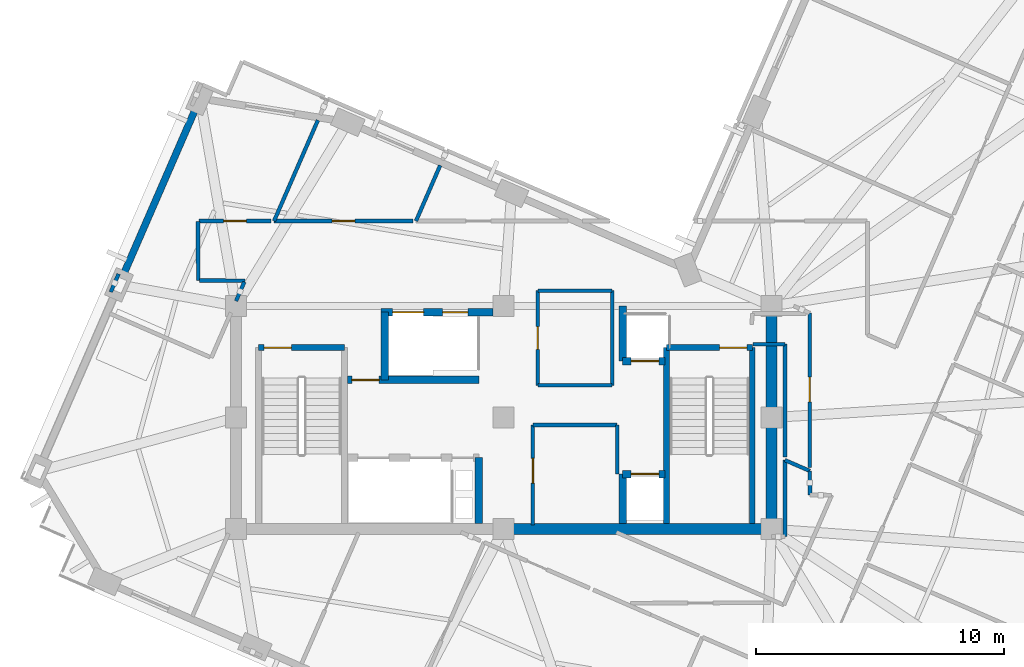
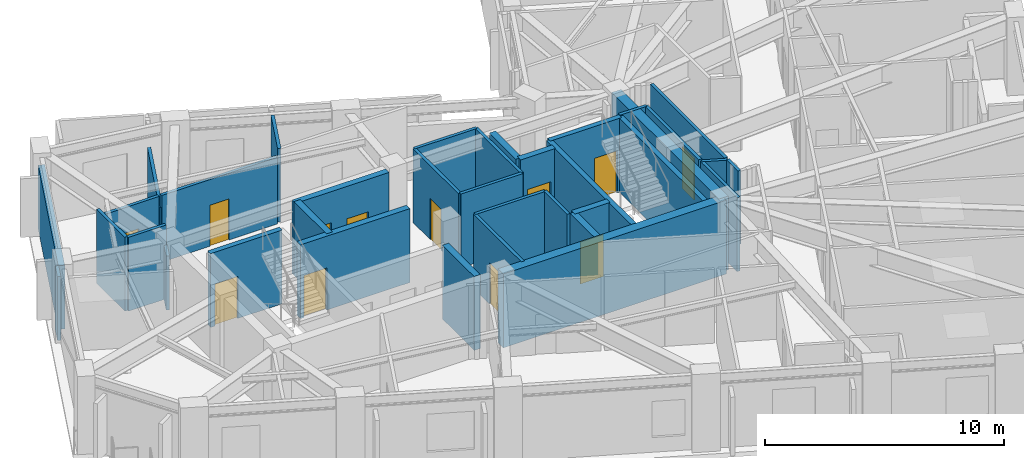
# One storey, part 5 of 11: 36 walls, 12 doors, 12 openings.
"""IFC4 building model written with IfcOpenShell, lengths in metres."""

from ifc_helpers import new_model, si_unit, direction, frame, frame_2d, origin, place, context, subcontext, project, spatial, rectangle, extrude, material, layer, layer_set, type_object, element, fill, save


model = new_model("IFC4")

# Units and contexts
model_context = context("Model", 3, precision=1e-05, world=origin(), true_north=direction((0.0, 1.0)))
body_context = subcontext(model_context, "Body", "Model", "MODEL_VIEW")
ifc_project = project(units=[si_unit("LENGTHUNIT", "METRE"), si_unit("AREAUNIT", "SQUARE_METRE"), si_unit("VOLUMEUNIT", "CUBIC_METRE"), si_unit("PLANEANGLEUNIT", "RADIAN"), si_unit("MASSUNIT", "GRAM", prefix="KILO")], contexts=[model_context])

# Site, building, storey
site_placement = place(None, origin())
site = spatial("IfcSite", under=ifc_project, at=site_placement, CompositionType="ELEMENT")
building_placement = place(site_placement, origin())
building = spatial("IfcBuilding", under=site, at=building_placement, Name="Gaonmaruhae Medical Tower", CompositionType="ELEMENT")
storey_placement = place(building_placement, frame((0.0, 0.0, 324.60009765625)))
storey = spatial("IfcBuildingStorey", under=building, at=storey_placement, Name="L78", CompositionType="ELEMENT", Elevation=324.60009765625)

# Walls
ifc_material_1 = material(Name="Concrete C50/60", Category="concrete")
ifc_layer_1 = layer(ifc_material_1, 0.449951171875)
ifc_layer_set_1 = layer_set([ifc_layer_1], Name="Concrete C50/60")
wall_type_1 = type_object("IfcWallType", Name="CW-450 Upper Core Shear Wall", PredefinedType="SHEAR", material=ifc_layer_set_1)
wall_1_placement = place(storey_placement, frame((24.800048828125, 7.800048828125, 0.0), z_axis=(0.0, 0.0, 1.0), x_axis=(1.0, 0.0, 0.0)))
element("IfcWall", 1, at=wall_1_placement, inside=storey, type_object=wall_type_1, Name="L78 Core Shear Wall CSW-S2", PredefinedType="SHEAR", context=body_context, shape_type="SweptSolid", body=[
    extrude(rectangle(XDim=10.800048828125, YDim=0.449951171875, at=frame_2d((5.39990234375, 0.0))), origin(), (0.0, 0.0, 1.0), 3.77978515625),
])
wall_2_placement = place(storey_placement, frame((35.60009765625, 7.800048828125, 0.0), z_axis=(0.0, 0.0, 1.0), x_axis=(0.0, 1.0, 0.0)))
element("IfcWall", 2, at=wall_2_placement, inside=storey, type_object=wall_type_1, Name="L78 Core Shear Wall CSW-E1", PredefinedType="SHEAR", context=body_context, shape_type="SweptSolid", body=[
    extrude(rectangle(XDim=9.0, YDim=0.449951171875, at=frame_2d((4.5, 0.0))), origin(), (0.0, 0.0, 1.0), 3.77978515625),
])
ifc_material_2 = material(Name="Precast concrete C45/55", Category="concrete")
ifc_layer_2 = layer(ifc_material_2, 0.280029296875)
ifc_layer_set_2 = layer_set([ifc_layer_2], Name="Precast concrete C45/55")
wall_type_2 = type_object("IfcWallType", Name="EW-280 Upper Precast Masonry-Frame Facade Wall", PredefinedType="SOLIDWALL", material=ifc_layer_set_2)
wall_3_placement = place(storey_placement, frame((9.44189453125, 18.01806640625, 0.0), z_axis=(0.0, 0.0, 1.0), x_axis=(0.398768305896, 0.917051709672, 0.0)))
element("IfcWall", 3, at=wall_3_placement, inside=storey, type_object=wall_type_2, Name="L78 Precast Masonry-Frame Wall N01-N02", PredefinedType="SOLIDWALL", context=body_context, shape_type="SweptSolid", body=[
    extrude(rectangle(XDim=7.405029296875, YDim=0.280029296875, at=frame_2d((3.70263671875, 0.0))), origin(), (0.0, 0.0, 1.0), 3.264892578125),
])

# Wall, opening, door
ifc_material_3 = material(Name="Gypsum board partition", Category="gypsum")
ifc_layer_3 = layer(ifc_material_3, 0.14990234375)
ifc_layer_set_3 = layer_set([ifc_layer_3], Name="Gypsum board partition")
wall_type_3 = type_object("IfcWallType", Name="PW-150 Rated Clinical Corridor Partition", PredefinedType="PARTITIONING", material=ifc_layer_set_3)
wall_4_placement = place(storey_placement, frame((25.97998046875, 7.9599609375, 0.0), z_axis=(0.0, 0.0, 1.0), x_axis=(0.0, 1.0, 0.0)))
wall_4 = element("IfcWall", 4, at=wall_4_placement, inside=storey, type_object=wall_type_3, Name="L78 Interior Partition L78-RCL1-1", PredefinedType="PARTITIONING", context=body_context, shape_type="SweptSolid", body=[
    extrude(rectangle(XDim=4.0400390625, YDim=0.14990234375, at=frame_2d((2.02001953125, 0.0))), origin(), (0.0, 0.0, 1.0), 3.77978515625),
])
opening_1_placement = place(wall_4_placement, frame((1.695068359375, 0.0, 0.0)))
opening_1 = element("IfcOpeningElement", 5, at=opening_1_placement, cuts=wall_4, Name="Opening CD-01", PredefinedType="OPENING", context=body_context, shape_type="SweptSolid", body=[
    extrude(rectangle(XDim=1.0, YDim=2.1201171875, at=frame_2d((0.5, 1.06005859375))), frame((0.0, 0.0849609375, 0.0), z_axis=(0.0, -1.0, 0.0), x_axis=(1.0, 0.0, 0.0)), (0.0, 0.0, 1.0), 0.169921875),
])
ifc_material_4 = material(Name="Antimicrobial laminate timber fire door", Category="wood")
door_type_1 = type_object("IfcDoorType", Name="CD-01 Consultation & Physician Office Door 1000x2120", OperationType="NOTDEFINED", PredefinedType="DOOR", material=ifc_material_4)
door_1_placement = place(opening_1_placement, origin())
door_1 = element("IfcDoor", 6, at=door_1_placement, inside=storey, type_object=door_type_1, Name="L78 Clinical Telemetry and Medication Room Door", OperationType="SINGLE_SWING_RIGHT", OverallHeight=2.1201171875, OverallWidth=1.0, PredefinedType="DOOR", context=body_context, shape_type="SweptSolid", body=[
    extrude(rectangle(XDim=1.0, YDim=2.1201171875, at=frame_2d((0.5, 1.06005859375))), frame((0.0, 0.02490234375, 0.0), z_axis=(0.0, -1.0, 0.0), x_axis=(1.0, 0.0, 0.0)), (0.0, 0.0, 1.0), 0.050048828125),
])
fill(opening_1, door_1)

# Walls
wall_5_placement = place(storey_placement, frame((25.97998046875, 12.0, 0.0), z_axis=(0.0, 0.0, 1.0), x_axis=(1.0, 0.0, 0.0)))
element("IfcWall", 7, at=wall_5_placement, inside=storey, type_object=wall_type_3, Name="L78 Interior Partition L78-RCL1-2", PredefinedType="PARTITIONING", context=body_context, shape_type="SweptSolid", body=[
    extrude(rectangle(XDim=3.39990234375, YDim=0.14990234375, at=frame_2d((1.699951171875, 0.0))), origin(), (0.0, 0.0, 1.0), 3.77978515625),
])
wall_6_placement = place(storey_placement, frame((29.3798828125, 12.0, 0.0), z_axis=(0.0, 0.0, 1.0), x_axis=(0.0, -1.0, 0.0)))
element("IfcWall", 8, at=wall_6_placement, inside=storey, type_object=wall_type_3, Name="L78 Interior Partition L78-RCL1-3", PredefinedType="PARTITIONING", context=body_context, shape_type="SweptSolid", body=[
    extrude(rectangle(XDim=1.97998046875, YDim=0.14990234375, at=frame_2d((0.989990234375, 0.0))), origin(), (0.0, 0.0, 1.0), 3.77978515625),
])

# Wall, opening, door
wall_7_placement = place(storey_placement, frame((26.179931640625, 13.60009765625, 0.0), z_axis=(0.0, 0.0, 1.0), x_axis=(0.0, 1.0, 0.0)))
wall_7 = element("IfcWall", 9, at=wall_7_placement, inside=storey, type_object=wall_type_3, Name="L78 Interior Partition L78-RCL2-4", PredefinedType="PARTITIONING", context=body_context, shape_type="SweptSolid", body=[
    extrude(rectangle(XDim=3.81982421875, YDim=0.14990234375, at=frame_2d((1.909912109375, 0.0))), origin(), (0.0, 0.0, 1.0), 3.77978515625),
])
opening_2_placement = place(wall_7_placement, frame((1.449951171875, 0.0, 0.0)))
opening_2 = element("IfcOpeningElement", 10, at=opening_2_placement, cuts=wall_7, Name="Opening UD-01", PredefinedType="OPENING", context=body_context, shape_type="SweptSolid", body=[
    extrude(rectangle(XDim=0.919921875, YDim=2.10009765625, at=frame_2d((0.4599609375, 1.050048828125))), frame((0.0, 0.0849609375, 0.0), z_axis=(0.0, -1.0, 0.0), x_axis=(1.0, 0.0, 0.0)), (0.0, 0.0, 1.0), 0.169921875),
])
ifc_material_5 = material(Name="Powder-coated steel utility door", Category="steel")
door_type_2 = type_object("IfcDoorType", Name="UD-01 Toilet, Utility & Housekeeping Door 920x2100", OperationType="NOTDEFINED", PredefinedType="DOOR", material=ifc_material_5)
door_2_placement = place(opening_2_placement, origin())
door_2 = element("IfcDoor", 11, at=door_2_placement, inside=storey, type_object=door_type_2, Name="L78 Accessible Staff Toilet Door", OperationType="SINGLE_SWING_LEFT", OverallHeight=2.10009765625, OverallWidth=0.919921875, PredefinedType="DOOR", context=body_context, shape_type="SweptSolid", body=[
    extrude(rectangle(XDim=0.919921875, YDim=2.10009765625, at=frame_2d((0.4599609375, 1.050048828125))), frame((0.0, 0.02490234375, 0.0), z_axis=(0.0, -1.0, 0.0), x_axis=(1.0, 0.0, 0.0)), (0.0, 0.0, 1.0), 0.050048828125),
])
fill(opening_2, door_2)

# Walls
wall_8_placement = place(storey_placement, frame((26.179931640625, 17.419921875, 0.0), z_axis=(0.0, 0.0, 1.0), x_axis=(1.0, 0.0, 0.0)))
element("IfcWall", 12, at=wall_8_placement, inside=storey, type_object=wall_type_3, Name="L78 Interior Partition L78-RCL2-5", PredefinedType="PARTITIONING", context=body_context, shape_type="SweptSolid", body=[
    extrude(rectangle(XDim=3.0, YDim=0.14990234375, at=frame_2d((1.5, 0.0))), origin(), (0.0, 0.0, 1.0), 3.77978515625),
])
wall_9_placement = place(storey_placement, frame((29.179931640625, 17.419921875, 0.0), z_axis=(0.0, 0.0, 1.0), x_axis=(0.0, -1.0, 0.0)))
element("IfcWall", 13, at=wall_9_placement, inside=storey, type_object=wall_type_3, Name="L78 Interior Partition L78-RCL2-6", PredefinedType="PARTITIONING", context=body_context, shape_type="SweptSolid", body=[
    extrude(rectangle(XDim=3.81982421875, YDim=0.14990234375, at=frame_2d((1.909912109375, 0.0))), origin(), (0.0, 0.0, 1.0), 3.77978515625),
])
wall_10_placement = place(storey_placement, frame((29.179931640625, 13.60009765625, 0.0), z_axis=(0.0, 0.0, 1.0), x_axis=(-1.0, 0.0, 0.0)))
element("IfcWall", 14, at=wall_10_placement, inside=storey, type_object=wall_type_3, Name="L78 Interior Partition L78-RCL2-7", PredefinedType="PARTITIONING", context=body_context, shape_type="SweptSolid", body=[
    extrude(rectangle(XDim=3.0, YDim=0.14990234375, at=frame_2d((1.5, 0.0))), origin(), (0.0, 0.0, 1.0), 3.77978515625),
])
wall_11_placement = place(storey_placement, frame((36.14990234375, 10.58203125, 0.0), z_axis=(0.0, 0.0, 1.0), x_axis=(0.916977493273, -0.398938938724, 0.0)))
element("IfcWall", 15, at=wall_11_placement, inside=storey, type_object=wall_type_3, Name="L78 Interior Partition L78-IE01-75", PredefinedType="PARTITIONING", context=body_context, shape_type="SweptSolid", body=[
    extrude(rectangle(XDim=1.090576171875, YDim=0.14990234375, at=frame_2d((0.54541015625, 0.0))), origin(), (0.0, 0.0, 1.0), 3.77978515625),
])
wall_12_placement = place(storey_placement, frame((37.14990234375, 10.14697265625, 0.0), z_axis=(0.0, 0.0, 1.0), x_axis=(0.011325727104, -0.999935861896, 0.0)))
element("IfcWall", 16, at=wall_12_placement, inside=storey, type_object=wall_type_3, Name="L78 Interior Partition L78-IE01-76", PredefinedType="PARTITIONING", context=body_context, shape_type="SweptSolid", body=[
    extrude(rectangle(XDim=0.969970703125, YDim=0.14990234375, at=frame_2d((0.48486328125, 0.0))), origin(), (0.0, 0.0, 1.0), 3.77978515625),
])
wall_13_placement = place(storey_placement, frame((36.14990234375, 7.5, 0.0), z_axis=(0.0, 0.0, 1.0), x_axis=(0.0, 1.0, 0.0)))
element("IfcWall", 17, at=wall_13_placement, inside=storey, type_object=wall_type_3, Name="L78 Interior Partition L78-IE01-81", PredefinedType="PARTITIONING", context=body_context, shape_type="SweptSolid", body=[
    extrude(rectangle(XDim=3.08203125, YDim=0.14990234375, at=frame_2d((1.541015625, 0.0))), origin(), (0.0, 0.0, 1.0), 3.77978515625),
])

# Wall, opening, door
wall_14_placement = place(storey_placement, frame((37.14990234375, 16.51611328125, 0.0), z_axis=(0.0, 0.0, 1.0), x_axis=(0.0, -1.0, 0.0)))
wall_14 = element("IfcWall", 18, at=wall_14_placement, inside=storey, type_object=wall_type_3, Name="L78 Interior Partition L78-IE02-85", PredefinedType="PARTITIONING", context=body_context, shape_type="SweptSolid", body=[
    extrude(rectangle(XDim=6.238037109375, YDim=0.14990234375, at=frame_2d((3.119140625, 0.0))), origin(), (0.0, 0.0, 1.0), 3.77978515625),
])
opening_3_placement = place(wall_14_placement, frame((2.580078125, 0.0, 0.0)))
opening_3 = element("IfcOpeningElement", 19, at=opening_3_placement, cuts=wall_14, Name="Opening CD-01", PredefinedType="OPENING", context=body_context, shape_type="SweptSolid", body=[
    extrude(rectangle(XDim=1.0, YDim=2.1201171875, at=frame_2d((0.5, 1.06005859375))), frame((0.0, 0.0849609375, 0.0), z_axis=(0.0, -1.0, 0.0), x_axis=(1.0, 0.0, 0.0)), (0.0, 0.0, 1.0), 0.169921875),
])
door_3_placement = place(opening_3_placement, origin())
door_3 = element("IfcDoor", 20, at=door_3_placement, inside=storey, type_object=door_type_1, Name="L78 Acute Treatment Examination Room Sliding Door", OperationType="SLIDING_TO_LEFT", OverallHeight=2.1201171875, OverallWidth=1.0, PredefinedType="DOOR", context=body_context, shape_type="SweptSolid", body=[
    extrude(rectangle(XDim=1.0, YDim=2.1201171875, at=frame_2d((0.5, 1.06005859375))), frame((0.0, 0.02490234375, 0.0), z_axis=(0.0, -1.0, 0.0), x_axis=(1.0, 0.0, 0.0)), (0.0, 0.0, 1.0), 0.050048828125),
])
fill(opening_3, door_3)

# Walls
wall_15_placement = place(storey_placement, frame((36.14990234375, 10.7119140625, 0.0), z_axis=(0.0, 0.0, 1.0), x_axis=(0.0, 1.0, 0.0)))
element("IfcWall", 21, at=wall_15_placement, inside=storey, type_object=wall_type_3, Name="L78 Interior Partition L78-IE02-86", PredefinedType="PARTITIONING", context=body_context, shape_type="SweptSolid", body=[
    extrude(rectangle(XDim=4.548095703125, YDim=0.14990234375, at=frame_2d((2.27392578125, 0.0))), origin(), (0.0, 0.0, 1.0), 3.77978515625),
])
wall_16_placement = place(storey_placement, frame((36.14990234375, 15.260009765625, 0.0), z_axis=(0.0, 0.0, 1.0), x_axis=(-1.0, 0.0, 0.0)))
element("IfcWall", 22, at=wall_16_placement, inside=storey, type_object=wall_type_3, Name="L78 Interior Partition L78-IE02-87", PredefinedType="PARTITIONING", context=body_context, shape_type="SweptSolid", body=[
    extrude(rectangle(XDim=1.2998046875, YDim=0.14990234375, at=frame_2d((0.64990234375, 0.0))), origin(), (0.0, 0.0, 1.0), 3.77978515625),
])
wall_17_placement = place(storey_placement, frame((21.264892578125, 20.22998046875, 0.0), z_axis=(0.0, 0.0, 1.0), x_axis=(0.398842956111, 0.91701924536, 0.0)))
element("IfcWall", 23, at=wall_17_placement, inside=storey, type_object=wall_type_3, Name="L78 Interior Partition L78-IN01-109", PredefinedType="PARTITIONING", context=body_context, shape_type="SweptSolid", body=[
    extrude(rectangle(XDim=2.44482421875, YDim=0.14990234375, at=frame_2d((1.222412109375, 0.0))), origin(), (0.0, 0.0, 1.0), 3.77978515625),
])

# Wall, opening, door
wall_18_placement = place(storey_placement, frame((21.134033203125, 20.22998046875, 0.0), z_axis=(0.0, 0.0, 1.0), x_axis=(-1.0, 0.0, 0.0)))
wall_18 = element("IfcWall", 24, at=wall_18_placement, inside=storey, type_object=wall_type_3, Name="L78 Interior Partition L78-IN02-114", PredefinedType="PARTITIONING", context=body_context, shape_type="SweptSolid", body=[
    extrude(rectangle(XDim=5.593994140625, YDim=0.14990234375, at=frame_2d((2.796875, 0.0))), origin(), (0.0, 0.0, 1.0), 3.414794921875),
])
opening_4_placement = place(wall_18_placement, frame((2.3369140625, 0.0, 0.0)))
opening_4 = element("IfcOpeningElement", 25, at=opening_4_placement, cuts=wall_18, Name="Opening UD-01", PredefinedType="OPENING", context=body_context, shape_type="SweptSolid", body=[
    extrude(rectangle(XDim=0.919921875, YDim=2.10009765625, at=frame_2d((0.4599609375, 1.050048828125))), frame((0.0, 0.0849609375, 0.0), z_axis=(0.0, -1.0, 0.0), x_axis=(1.0, 0.0, 0.0)), (0.0, 0.0, 1.0), 0.169921875),
])
door_4_placement = place(opening_4_placement, origin())
door_4 = element("IfcDoor", 26, at=door_4_placement, inside=storey, type_object=door_type_2, Name="L78 Ward Nutrition Pantry Door", OperationType="SINGLE_SWING_RIGHT", OverallHeight=2.10009765625, OverallWidth=0.919921875, PredefinedType="DOOR", context=body_context, shape_type="SweptSolid", body=[
    extrude(rectangle(XDim=0.919921875, YDim=2.10009765625, at=frame_2d((0.4599609375, 1.050048828125))), frame((0.0, 0.02490234375, 0.0), z_axis=(0.0, -1.0, 0.0), x_axis=(1.0, 0.0, 0.0)), (0.0, 0.0, 1.0), 0.050048828125),
])
fill(opening_4, door_4)

# Walls
wall_19_placement = place(storey_placement, frame((15.5400390625, 20.22998046875, 0.0), z_axis=(0.0, 0.0, 1.0), x_axis=(0.398707980575, 0.917077939014, 0.0)))
element("IfcWall", 27, at=wall_19_placement, inside=storey, type_object=wall_type_3, Name="L78 Interior Partition L78-IN02-115", PredefinedType="PARTITIONING", context=body_context, shape_type="SweptSolid", body=[
    extrude(rectangle(XDim=4.431396484375, YDim=0.14990234375, at=frame_2d((2.2158203125, 0.0))), origin(), (0.0, 0.0, 1.0), 2.764892578125),
])
wall_20_placement = place(storey_placement, frame((12.469970703125, 20.202880859375, 0.0), z_axis=(0.0, 0.0, 1.0), x_axis=(0.002985061327, -0.999995544695, 0.0)))
element("IfcWall", 28, at=wall_20_placement, inside=storey, type_object=wall_type_3, Name="L78 Interior Partition L78-IN03-118", PredefinedType="PARTITIONING", context=body_context, shape_type="SweptSolid", body=[
    extrude(rectangle(XDim=2.371826171875, YDim=0.14990234375, at=frame_2d((1.18603515625, 0.0))), origin(), (0.0, 0.0, 1.0), 3.77978515625),
])
wall_21_placement = place(storey_placement, frame((12.527099609375, 17.8310546875, 0.0), z_axis=(0.0, 0.0, 1.0), x_axis=(0.999982057945, -0.005990307855, 0.0)))
element("IfcWall", 29, at=wall_21_placement, inside=storey, type_object=wall_type_3, Name="L78 Interior Partition L78-IN03-119", PredefinedType="PARTITIONING", context=body_context, shape_type="SweptSolid", body=[
    extrude(rectangle(XDim=1.833984375, YDim=0.14990234375, at=frame_2d((0.9169921875, 0.0))), origin(), (0.0, 0.0, 1.0), 3.77978515625),
])
wall_22_placement = place(storey_placement, frame((14.339111328125, 17.77001953125, 0.0), z_axis=(0.0, 0.0, 1.0), x_axis=(-0.399140640041, -0.916889714997, 0.0)))
element("IfcWall", 30, at=wall_22_placement, inside=storey, type_object=wall_type_3, Name="L78 Interior Partition L78-IN03-120", PredefinedType="PARTITIONING", context=body_context, shape_type="SweptSolid", body=[
    extrude(rectangle(XDim=0.83984375, YDim=0.14990234375, at=frame_2d((0.419921875, 0.0))), origin(), (0.0, 0.0, 1.0), 2.764892578125),
])
wall_23_placement = place(storey_placement, frame((8.950927734375, 17.364990234375, 0.0), z_axis=(0.0, 0.0, 1.0), x_axis=(0.398916999953, 0.916987037612, 0.0)))
element("IfcWall", 31, at=wall_23_placement, inside=storey, type_object=wall_type_3, Name="L78 Interior Partition L78-IN03-123", PredefinedType="PARTITIONING", context=body_context, shape_type="SweptSolid", body=[
    extrude(rectangle(XDim=0.794921875, YDim=0.14990234375, at=frame_2d((0.3974609375, 0.0))), origin(), (0.0, 0.0, 1.0), 3.264892578125),
])

# Wall, opening, door
wall_24_placement = place(storey_placement, frame((15.408935546875, 20.22998046875, 0.0), z_axis=(0.0, 0.0, 1.0), x_axis=(-1.0, 0.0, 0.0)))
wall_24 = element("IfcWall", 32, at=wall_24_placement, inside=storey, type_object=wall_type_3, Name="L78 Interior Partition L78-IN03-128", PredefinedType="PARTITIONING", context=body_context, shape_type="SweptSolid", body=[
    extrude(rectangle(XDim=2.89697265625, YDim=0.14990234375, at=frame_2d((1.448486328125, 0.0))), origin(), (0.0, 0.0, 1.0), 3.414794921875),
])
opening_5_placement = place(wall_24_placement, frame((0.988525390625, 0.0, 0.0)))
opening_5 = element("IfcOpeningElement", 33, at=opening_5_placement, cuts=wall_24, Name="Opening UD-01", PredefinedType="OPENING", context=body_context, shape_type="SweptSolid", body=[
    extrude(rectangle(XDim=0.919921875, YDim=2.10009765625, at=frame_2d((0.4599609375, 1.050048828125))), frame((0.0, 0.0849609375, 0.0), z_axis=(0.0, -1.0, 0.0), x_axis=(1.0, 0.0, 0.0)), (0.0, 0.0, 1.0), 0.169921875),
])
door_5_placement = place(opening_5_placement, origin())
door_5 = element("IfcDoor", 34, at=door_5_placement, inside=storey, type_object=door_type_2, Name="L78 Public Visitor Toilet Door", OperationType="SINGLE_SWING_RIGHT", OverallHeight=2.10009765625, OverallWidth=0.919921875, PredefinedType="DOOR", context=body_context, shape_type="SweptSolid", body=[
    extrude(rectangle(XDim=0.919921875, YDim=2.10009765625, at=frame_2d((0.4599609375, 1.050048828125))), frame((0.0, 0.02490234375, 0.0), z_axis=(0.0, -1.0, 0.0), x_axis=(1.0, 0.0, 0.0)), (0.0, 0.0, 1.0), 0.050048828125),
])
fill(opening_5, door_5)

ifc_layer_4 = layer(ifc_material_1, 0.239990234375)
ifc_layer_set_4 = layer_set([ifc_layer_4], Name="Concrete C50/60")
wall_type_4 = type_object("IfcWallType", Name="SW-240 Dogleg Stair Tight Shaft Wall", PredefinedType="SOLIDWALL", material=ifc_layer_set_4)
wall_25_placement = place(storey_placement, frame((14.919921875, 15.1201171875, 0.0), z_axis=(0.0, 0.0, 1.0), x_axis=(1.0, 0.0, 0.0)))
wall_25 = element("IfcWall", 35, at=wall_25_placement, inside=storey, type_object=wall_type_4, Name="L78 ST-01 Stair Shaft Wall SHW-ST-01-N", PredefinedType="SOLIDWALL", context=body_context, shape_type="SweptSolid", body=[
    extrude(rectangle(XDim=3.4599609375, YDim=0.239990234375, at=frame_2d((1.72998046875, 0.0))), origin(), (0.0, 0.0, 1.0), 3.77978515625),
])
opening_6_placement = place(wall_25_placement, frame((0.219970703125, 0.0, 0.0)))
opening_6 = element("IfcOpeningElement", 36, at=opening_6_placement, cuts=wall_25, Name="Opening FD-01", PredefinedType="OPENING", context=body_context, shape_type="SweptSolid", body=[
    extrude(rectangle(XDim=1.10009765625, YDim=2.14990234375, at=frame_2d((0.550048828125, 1.074951171875))), frame((0.0, 0.1298828125, 0.0), z_axis=(0.0, -1.0, 0.0), x_axis=(1.0, 0.0, 0.0)), (0.0, 0.0, 1.0), 0.260009765625),
])
ifc_material_6 = material(Name="Powder-coated steel fire door", Category="steel")
door_type_3 = type_object("IfcDoorType", Name="FD-01 Escape Stair Protected Fire Door 1100x2150", OperationType="NOTDEFINED", PredefinedType="DOOR", material=ifc_material_6)
door_6_placement = place(opening_6_placement, origin())
door_6 = element("IfcDoor", 37, at=door_6_placement, inside=storey, type_object=door_type_3, Name="L78 ST-01 Protected Escape Stair Door", OperationType="SINGLE_SWING_RIGHT", OverallHeight=2.14990234375, OverallWidth=1.10009765625, PredefinedType="DOOR", context=body_context, shape_type="SweptSolid", body=[
    extrude(rectangle(XDim=1.10009765625, YDim=2.14990234375, at=frame_2d((0.550048828125, 1.074951171875))), frame((0.0, 0.02490234375, 0.0), z_axis=(0.0, -1.0, 0.0), x_axis=(1.0, 0.0, 0.0)), (0.0, 0.0, 1.0), 0.050048828125),
])
fill(opening_6, door_6)

wall_26_placement = place(storey_placement, frame((31.3701171875, 15.1201171875, 0.0), z_axis=(0.0, 0.0, 1.0), x_axis=(1.0, 0.0, 0.0)))
wall_26 = element("IfcWall", 38, at=wall_26_placement, inside=storey, type_object=wall_type_4, Name="L78 ST-02 Stair Shaft Wall SHW-ST-02-N", PredefinedType="SOLIDWALL", context=body_context, shape_type="SweptSolid", body=[
    extrude(rectangle(XDim=3.4599609375, YDim=0.239990234375, at=frame_2d((1.72998046875, 0.0))), origin(), (0.0, 0.0, 1.0), 3.77978515625),
])
opening_7_placement = place(wall_26_placement, frame((2.139892578125, 0.0, 0.0)))
opening_7 = element("IfcOpeningElement", 39, at=opening_7_placement, cuts=wall_26, Name="Opening FD-01", PredefinedType="OPENING", context=body_context, shape_type="SweptSolid", body=[
    extrude(rectangle(XDim=1.10009765625, YDim=2.14990234375, at=frame_2d((0.550048828125, 1.074951171875))), frame((0.0, 0.1298828125, 0.0), z_axis=(0.0, -1.0, 0.0), x_axis=(1.0, 0.0, 0.0)), (0.0, 0.0, 1.0), 0.260009765625),
])
door_7_placement = place(opening_7_placement, origin())
door_7 = element("IfcDoor", 40, at=door_7_placement, inside=storey, type_object=door_type_3, Name="L78 ST-02 Protected Escape Stair Door", OperationType="SINGLE_SWING_LEFT", OverallHeight=2.14990234375, OverallWidth=1.10009765625, PredefinedType="DOOR", context=body_context, shape_type="SweptSolid", body=[
    extrude(rectangle(XDim=1.10009765625, YDim=2.14990234375, at=frame_2d((0.550048828125, 1.074951171875))), frame((0.0, 0.02490234375, 0.0), z_axis=(0.0, -1.0, 0.0), x_axis=(1.0, 0.0, 0.0)), (0.0, 0.0, 1.0), 0.050048828125),
])
fill(opening_7, door_7)

# Walls
for number, where, z_axis, x_axis, name in (
    (41, (34.830078125, 15.1201171875, 0.0), (0.0, 0.0, 1.0), (0.0, -1.0, 0.0), "L78 ST-02 Stair Shaft Wall SHW-ST-02-E"),
    (42, (31.3701171875, 8.02490234375, 0.0), (0.0, 0.0, 1.0), (0.0, 1.0, 0.0), "L78 ST-02 Stair Shaft Wall SHW-ST-02-W"),
):
    element("IfcWall", number, at=place(storey_placement, frame(where, z_axis=z_axis, x_axis=x_axis)), inside=storey, type_object=wall_type_4, Name=name, PredefinedType="SOLIDWALL", context=body_context, shape_type="SweptSolid", body=[
        extrude(rectangle(XDim=7.09521484375, YDim=0.239990234375, at=frame_2d((3.547607421875, 0.0))), origin(), (0.0, 0.0, 1.0), 3.77978515625),
    ])

# Wall, openings, doors
ifc_layer_5 = layer(ifc_material_1, 0.300048828125)
ifc_layer_set_5 = layer_set([ifc_layer_5], Name="Concrete C50/60")
wall_type_5 = type_object("IfcWallType", Name="SW-300 Stair & Lift Hoistway Shaft Wall", PredefinedType="SOLIDWALL", material=ifc_layer_set_5)
wall_27_placement = place(storey_placement, frame((19.85009765625, 16.550048828125, 0.0), z_axis=(0.0, 0.0, 1.0), x_axis=(1.0, 0.0, 0.0)))
wall_27 = element("IfcWall", 43, at=wall_27_placement, inside=storey, type_object=wall_type_5, Name="L78 Core Shear Wall CSW-NB", PredefinedType="SOLIDWALL", context=body_context, shape_type="SweptSolid", body=[
    extrude(rectangle(XDim=4.52490234375, YDim=0.300048828125, at=frame_2d((2.262451171875, 0.0))), origin(), (0.0, 0.0, 1.0), 3.77978515625),
])
opening_8_placement = place(wall_27_placement, frame((0.47509765625, 0.0, 0.0)))
opening_8 = element("IfcOpeningElement", 44, at=opening_8_placement, cuts=wall_27, Name="Opening LD-F1", PredefinedType="OPENING", context=body_context, shape_type="SweptSolid", body=[
    extrude(rectangle(XDim=1.25, YDim=2.179931640625, at=frame_2d((0.625, 1.08984375))), frame((0.0, 0.16015625, 0.0), z_axis=(0.0, -1.0, 0.0), x_axis=(1.0, 0.0, 0.0)), (0.0, 0.0, 1.0), 0.320068359375),
])
opening_9_placement = place(wall_27_placement, frame((2.489990234375, 0.0, 0.0)))
opening_9 = element("IfcOpeningElement", 45, at=opening_9_placement, cuts=wall_27, Name="Opening LD-S1", PredefinedType="OPENING", context=body_context, shape_type="SweptSolid", body=[
    extrude(rectangle(XDim=1.02001953125, YDim=2.1201171875, at=frame_2d((0.510009765625, 1.06005859375))), frame((0.0, 0.16015625, 0.0), z_axis=(0.0, -1.0, 0.0), x_axis=(1.0, 0.0, 0.0)), (0.0, 0.0, 1.0), 0.320068359375),
])
ifc_material_7 = material(Name="Brushed stainless steel 316L landing door", Category="steel")
door_type_4 = type_object("IfcDoorType", Name="LD-F1 Firefighting & Bed Lift Sliding Landing Door 1250x2180", OperationType="NOTDEFINED", PredefinedType="DOOR", material=ifc_material_7)
door_8_placement = place(opening_8_placement, origin())
door_8 = element("IfcDoor", 46, at=door_8_placement, inside=storey, type_object=door_type_4, Name="L78 Service/Bed Lift Landing Door BDL-01", OperationType="DOUBLE_DOOR_SLIDING", OverallHeight=2.179931640625, OverallWidth=1.25, PredefinedType="DOOR", context=body_context, shape_type="SweptSolid", body=[
    extrude(rectangle(XDim=1.25, YDim=2.179931640625, at=frame_2d((0.625, 1.08984375))), frame((0.0, 0.02490234375, 0.0), z_axis=(0.0, -1.0, 0.0), x_axis=(1.0, 0.0, 0.0)), (0.0, 0.0, 1.0), 0.050048828125),
])
fill(opening_8, door_8)
ifc_material_8 = material(Name="Brushed stainless steel 304 landing door", Category="steel")
door_type_5 = type_object("IfcDoorType", Name="LD-S1 Service Lift Sliding Landing Door 1020x2120", OperationType="NOTDEFINED", PredefinedType="DOOR", material=ifc_material_8)
door_9_placement = place(opening_9_placement, origin())
door_9 = element("IfcDoor", 47, at=door_9_placement, inside=storey, type_object=door_type_5, Name="L78 Service/Bed Lift Landing Door SVL-01", OperationType="SLIDING_TO_LEFT", OverallHeight=2.1201171875, OverallWidth=1.02001953125, PredefinedType="DOOR", context=body_context, shape_type="SweptSolid", body=[
    extrude(rectangle(XDim=1.02001953125, YDim=2.1201171875, at=frame_2d((0.510009765625, 1.06005859375))), frame((0.0, 0.02490234375, 0.0), z_axis=(0.0, -1.0, 0.0), x_axis=(1.0, 0.0, 0.0)), (0.0, 0.0, 1.0), 0.050048828125),
])
fill(opening_9, door_9)

# Wall, opening, door
wall_28_placement = place(storey_placement, frame((18.5, 13.820068359375, 0.0), z_axis=(0.0, 0.0, 1.0), x_axis=(1.0, 0.0, 0.0)))
wall_28 = element("IfcWall", 48, at=wall_28_placement, inside=storey, type_object=wall_type_5, Name="L78 Shaft Enclosure Wall SHW-FFL", PredefinedType="SOLIDWALL", context=body_context, shape_type="SweptSolid", body=[
    extrude(rectangle(XDim=5.300048828125, YDim=0.300048828125, at=frame_2d((2.64990234375, 0.0))), origin(), (0.0, 0.0, 1.0), 3.77978515625),
])
opening_10_placement = place(wall_28_placement, frame((0.179931640625, 0.0, 0.0)))
opening_10 = element("IfcOpeningElement", 49, at=opening_10_placement, cuts=wall_28, Name="Opening FD-01", PredefinedType="OPENING", context=body_context, shape_type="SweptSolid", body=[
    extrude(rectangle(XDim=1.10009765625, YDim=2.14990234375, at=frame_2d((0.550048828125, 1.074951171875))), frame((0.0, 0.16015625, 0.0), z_axis=(0.0, -1.0, 0.0), x_axis=(1.0, 0.0, 0.0)), (0.0, 0.0, 1.0), 0.320068359375),
])
door_10_placement = place(opening_10_placement, origin())
door_10 = element("IfcDoor", 50, at=door_10_placement, inside=storey, type_object=door_type_3, Name="L78 Firefighting Lobby Smoke Door", OperationType="SINGLE_SWING_LEFT", OverallHeight=2.14990234375, OverallWidth=1.10009765625, PredefinedType="DOOR", context=body_context, shape_type="SweptSolid", body=[
    extrude(rectangle(XDim=1.10009765625, YDim=2.14990234375, at=frame_2d((0.550048828125, 1.074951171875))), frame((0.0, 0.02490234375, 0.0), z_axis=(0.0, -1.0, 0.0), x_axis=(1.0, 0.0, 0.0)), (0.0, 0.0, 1.0), 0.050048828125),
])
fill(opening_10, door_10)

# Walls
wall_29_placement = place(storey_placement, frame((23.800048828125, 8.02490234375, 0.0), z_axis=(0.0, 0.0, 1.0), x_axis=(0.0, 1.0, 0.0)))
element("IfcWall", 51, at=wall_29_placement, inside=storey, type_object=wall_type_5, Name="L78 Shaft Enclosure Wall SHW-FFE", PredefinedType="SOLIDWALL", context=body_context, shape_type="SweptSolid", body=[
    extrude(rectangle(XDim=2.655029296875, YDim=0.300048828125, at=frame_2d((1.32763671875, 0.0))), origin(), (0.0, 0.0, 1.0), 3.77978515625),
])
wall_30_placement = place(storey_placement, frame((20.0, 13.820068359375, 0.0), z_axis=(0.0, 0.0, 1.0), x_axis=(0.0, 1.0, 0.0)))
element("IfcWall", 52, at=wall_30_placement, inside=storey, type_object=wall_type_5, Name="L78 Shaft Enclosure Wall SHW-BDW", PredefinedType="SOLIDWALL", context=body_context, shape_type="SweptSolid", body=[
    extrude(rectangle(XDim=2.72998046875, YDim=0.300048828125, at=frame_2d((1.364990234375, 0.0))), origin(), (0.0, 0.0, 1.0), 3.77978515625),
])

# Wall, opening, door
wall_31_placement = place(storey_placement, frame((29.60009765625, 10.02001953125, 0.0), z_axis=(0.0, 0.0, 1.0), x_axis=(1.0, 0.0, 0.0)))
wall_31 = element("IfcWall", 53, at=wall_31_placement, inside=storey, type_object=wall_type_5, Name="L78 Shaft Enclosure Wall SHW-PLS", PredefinedType="SOLIDWALL", context=body_context, shape_type="SweptSolid", body=[
    extrude(rectangle(XDim=1.699951171875, YDim=0.300048828125, at=frame_2d((0.85009765625, 0.0))), origin(), (0.0, 0.0, 1.0), 3.77978515625),
])
opening_11_placement = place(wall_31_placement, frame((0.340087890625, 0.0, 0.0)))
opening_11 = element("IfcOpeningElement", 54, at=opening_11_placement, cuts=wall_31, Name="Opening LD-P1", PredefinedType="OPENING", context=body_context, shape_type="SweptSolid", body=[
    extrude(rectangle(XDim=1.1201171875, YDim=2.14990234375, at=frame_2d((0.56005859375, 1.074951171875))), frame((0.0, 0.16015625, 0.0), z_axis=(0.0, -1.0, 0.0), x_axis=(1.0, 0.0, 0.0)), (0.0, 0.0, 1.0), 0.320068359375),
])
door_type_6 = type_object("IfcDoorType", Name="LD-P1 Passenger Lift Sliding Landing Door 1120x2150", OperationType="NOTDEFINED", PredefinedType="DOOR", material=ifc_material_8)
door_11_placement = place(opening_11_placement, origin())
door_11 = element("IfcDoor", 55, at=door_11_placement, inside=storey, type_object=door_type_6, Name="L78 Passenger Lift Landing Door PL-H1", OperationType="DOUBLE_DOOR_SLIDING", OverallHeight=2.14990234375, OverallWidth=1.1201171875, PredefinedType="DOOR", context=body_context, shape_type="SweptSolid", body=[
    extrude(rectangle(XDim=1.1201171875, YDim=2.14990234375, at=frame_2d((0.56005859375, 1.074951171875))), frame((0.0, 0.02490234375, 0.0), z_axis=(0.0, -1.0, 0.0), x_axis=(1.0, 0.0, 0.0)), (0.0, 0.0, 1.0), 0.050048828125),
])
fill(opening_11, door_11)

# Wall
wall_32_placement = place(storey_placement, frame((29.60009765625, 8.02490234375, 0.0), z_axis=(0.0, 0.0, 1.0), x_axis=(0.0, 1.0, 0.0)))
element("IfcWall", 56, at=wall_32_placement, inside=storey, type_object=wall_type_5, Name="L78 Shaft Enclosure Wall SHW-PLD1", PredefinedType="SOLIDWALL", context=body_context, shape_type="SweptSolid", body=[
    extrude(rectangle(XDim=1.9951171875, YDim=0.300048828125, at=frame_2d((0.99755859375, 0.0))), origin(), (0.0, 0.0, 1.0), 3.77978515625),
])

# Wall, opening, door
wall_33_placement = place(storey_placement, frame((29.60009765625, 14.580078125, 0.0), z_axis=(0.0, 0.0, 1.0), x_axis=(1.0, 0.0, 0.0)))
wall_33 = element("IfcWall", 57, at=wall_33_placement, inside=storey, type_object=wall_type_5, Name="L78 Shaft Enclosure Wall SHW-PLN", PredefinedType="SOLIDWALL", context=body_context, shape_type="SweptSolid", body=[
    extrude(rectangle(XDim=1.699951171875, YDim=0.300048828125, at=frame_2d((0.85009765625, 0.0))), origin(), (0.0, 0.0, 1.0), 3.77978515625),
])
opening_12_placement = place(wall_33_placement, frame((0.340087890625, 0.0, 0.0)))
opening_12 = element("IfcOpeningElement", 58, at=opening_12_placement, cuts=wall_33, Name="Opening LD-P1", PredefinedType="OPENING", context=body_context, shape_type="SweptSolid", body=[
    extrude(rectangle(XDim=1.1201171875, YDim=2.14990234375, at=frame_2d((0.56005859375, 1.074951171875))), frame((0.0, 0.16015625, 0.0), z_axis=(0.0, -1.0, 0.0), x_axis=(1.0, 0.0, 0.0)), (0.0, 0.0, 1.0), 0.320068359375),
])
door_12_placement = place(opening_12_placement, origin())
door_12 = element("IfcDoor", 59, at=door_12_placement, inside=storey, type_object=door_type_6, Name="L78 Passenger Lift Landing Door PL-H2", OperationType="DOUBLE_DOOR_SLIDING", OverallHeight=2.14990234375, OverallWidth=1.1201171875, PredefinedType="DOOR", context=body_context, shape_type="SweptSolid", body=[
    extrude(rectangle(XDim=1.1201171875, YDim=2.14990234375, at=frame_2d((0.56005859375, 1.074951171875))), frame((0.0, 0.02490234375, 0.0), z_axis=(0.0, -1.0, 0.0), x_axis=(1.0, 0.0, 0.0)), (0.0, 0.0, 1.0), 0.050048828125),
])
fill(opening_12, door_12)

# Wall
wall_34_placement = place(storey_placement, frame((29.60009765625, 14.580078125, 0.0), z_axis=(0.0, 0.0, 1.0), x_axis=(0.0, 1.0, 0.0)))
element("IfcWall", 60, at=wall_34_placement, inside=storey, type_object=wall_type_5, Name="L78 Shaft Enclosure Wall SHW-PLD2", PredefinedType="SOLIDWALL", context=body_context, shape_type="SweptSolid", body=[
    extrude(rectangle(XDim=2.219970703125, YDim=0.300048828125, at=frame_2d((1.10986328125, 0.0))), origin(), (0.0, 0.0, 1.0), 3.77978515625),
])

save(model, "model.ifc")
